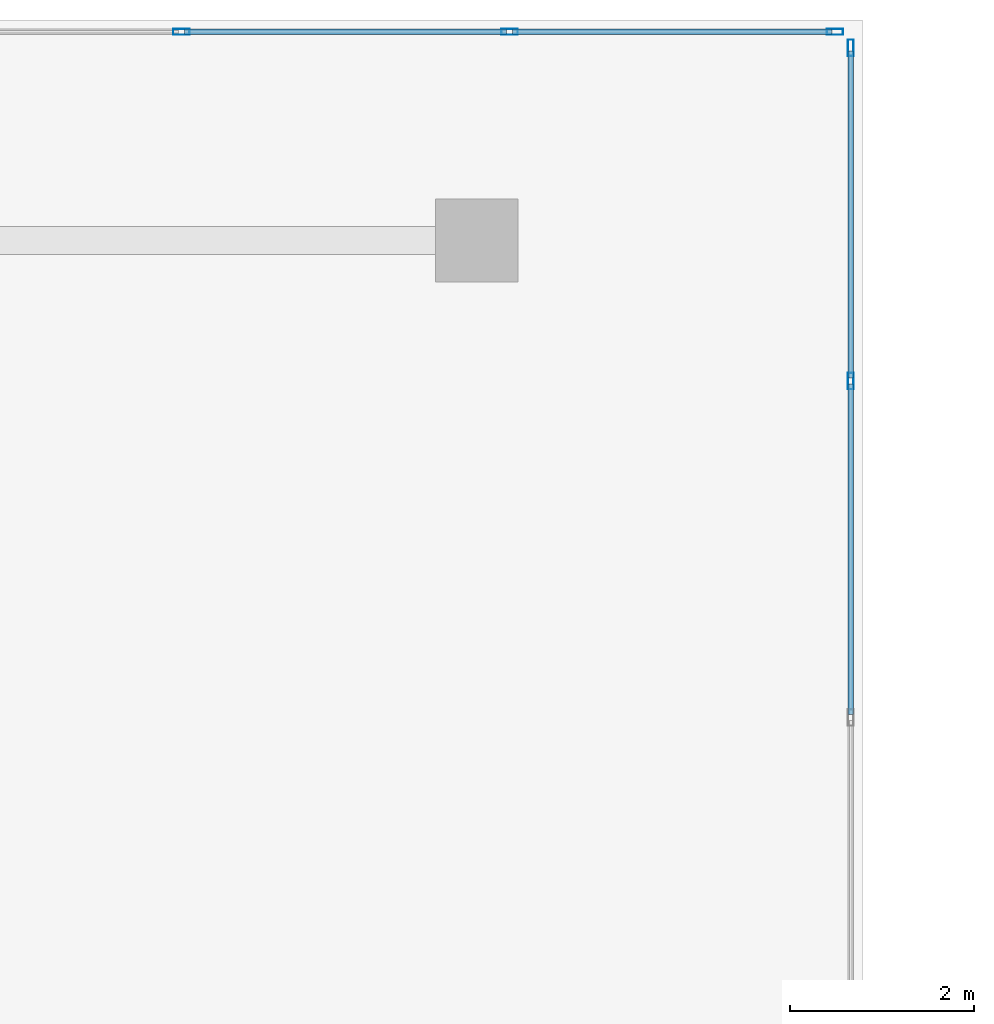
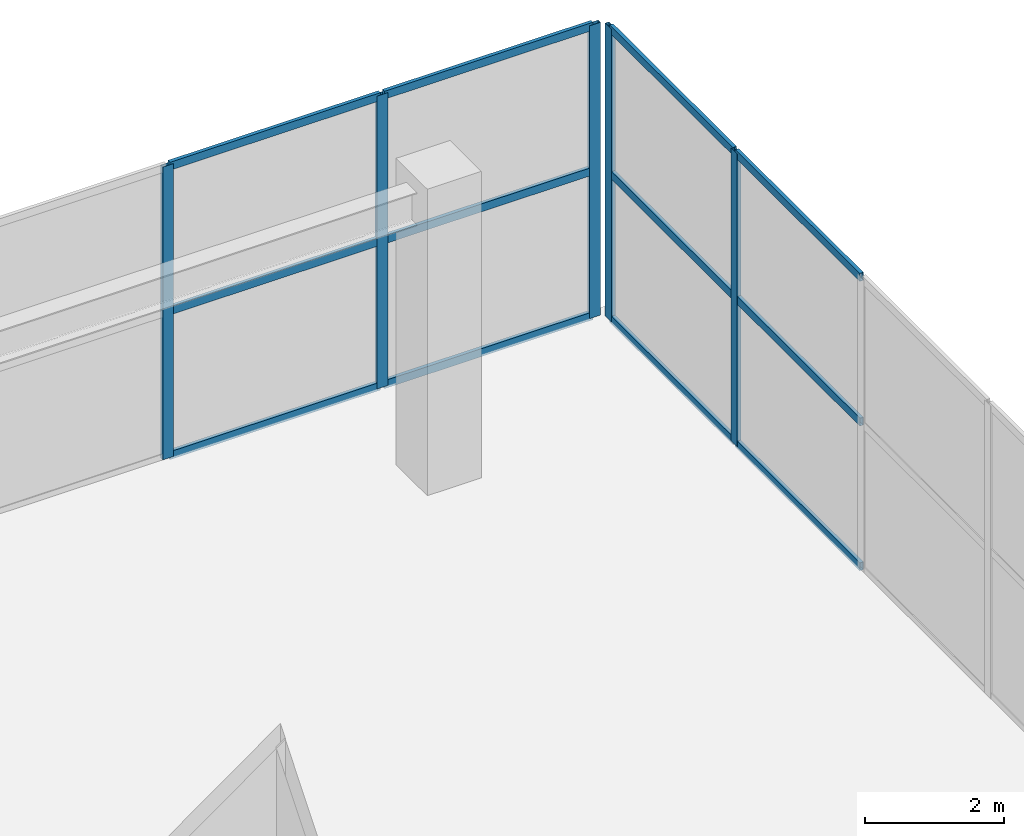
# One storey, part 25 of 37: 17 members, 2 elements without a shape of their own.
"""IFC4 building model written with IfcOpenShell, lengths in metres."""

from ifc_helpers import new_model, si_unit, direction, frame, origin, origin_2d, place, context, subcontext, project, spatial, hollow_rectangle, extrude, material, layer, layer_set, material_profile, profile_set, type_object, element, aggregate, save


model = new_model("IFC4")

# Units and contexts
model_context = context("Model", 3, precision=1e-05, world=origin(), true_north=direction((0.0, 1.0)))
body_context = subcontext(model_context, "Body", "Model", "MODEL_VIEW")
ifc_project = project(units=[si_unit("LENGTHUNIT", "METRE"), si_unit("AREAUNIT", "SQUARE_METRE"), si_unit("VOLUMEUNIT", "CUBIC_METRE"), si_unit("PLANEANGLEUNIT", "RADIAN"), si_unit("MASSUNIT", "GRAM", prefix="KILO")], contexts=[model_context])

# Site, building, storey
site_placement = place(None, origin())
site = spatial("IfcSite", under=ifc_project, at=site_placement, CompositionType="ELEMENT")
building_placement = place(site_placement, origin())
building = spatial("IfcBuilding", under=site, at=building_placement, Name="Haolan Belvedere Tower", CompositionType="ELEMENT")
storey_placement = place(building_placement, frame((0.0, 0.0, 10.199951171875)))
storey = spatial("IfcBuildingStorey", under=building, at=storey_placement, Name="L02", CompositionType="ELEMENT", Elevation=10.199951171875)

# Curtain wall, members
ifc_material_1 = material(Name="Anodised champagne-silver aluminium 6063-T6 and Low-E glass", Category="aluminium")
ifc_layer = layer(ifc_material_1, 0.179931640625, Name="Anodised champagne-silver aluminium 6063-T6 and Low-E glass")
ifc_layer_set = layer_set([ifc_layer], Name="Anodised champagne-silver aluminium 6063-T6 and Low-E glass")
curtain_wall_type = type_object("IfcCurtainWallType", Name="CW-SYS-01", PredefinedType="NOTDEFINED", material=ifc_layer_set)
curtain_wall_1_placement = place(storey_placement, origin())
curtain_wall_1 = element("IfcCurtainWall", 1, at=curtain_wall_1_placement, inside=storey, type_object=curtain_wall_type, Name="L02 CW-SYS-01 ribbon curtain wall 2.1", PredefinedType="NOTDEFINED")
ifc_material_2 = material(Name="Anodised aluminium 6063-T6", Category="aluminium")
ifc_material_profile_1 = material_profile(ifc_material_2, hollow_rectangle(XDim=0.06494140625, YDim=0.179931640625, WallThickness=0.00390625, at=origin_2d()), Name="Anodised aluminium 6063-T6")
ifc_profile_set_1 = profile_set([ifc_material_profile_1], Name="Anodised aluminium 6063-T6")
member_type_1 = type_object("IfcMemberType", Name="CW-SYS-01-MUL", PredefinedType="MULLION", material=ifc_profile_set_1)
member_1_placement = place(storey_placement, frame((74.27001953125, 50.068603515625, 0.0), z_axis=(0.0, 0.0, 1.0), x_axis=(-1.0, 0.0, 0.0)))
member_1 = element("IfcMember", 2, at=member_1_placement, type_object=member_type_1, Name="CW-01 mullion 12", PredefinedType="MULLION", context=body_context, shape_type="SweptSolid", body=[
    extrude(hollow_rectangle(XDim=0.06494140625, YDim=0.179931640625, WallThickness=0.00390625, at=origin_2d()), origin(), (0.0, 0.0, 1.0), 5.16015625),
])
member_2_placement = place(storey_placement, frame((74.27001953125, 53.697509765625, 0.0), z_axis=(0.0, 0.0, 1.0), x_axis=(-1.0, 0.0, 0.0)))
member_2 = element("IfcMember", 3, at=member_2_placement, type_object=member_type_1, Name="CW-01 mullion 13", PredefinedType="MULLION", context=body_context, shape_type="SweptSolid", body=[
    extrude(hollow_rectangle(XDim=0.06494140625, YDim=0.179931640625, WallThickness=0.00390625, at=origin_2d()), origin(), (0.0, 0.0, 1.0), 5.16015625),
])

curtain_wall_2_placement = place(storey_placement, origin())
curtain_wall_2 = element("IfcCurtainWall", 4, at=curtain_wall_2_placement, inside=storey, type_object=curtain_wall_type, Name="L02 CW-SYS-01 ribbon curtain wall 3.1", PredefinedType="NOTDEFINED")
member_3_placement = place(storey_placement, frame((74.097412109375, 53.8701171875, 0.0), z_axis=(0.0, 0.0, 1.0), x_axis=(0.0, -1.0, 0.0)))
member_3 = element("IfcMember", 5, at=member_3_placement, type_object=member_type_1, Name="CW-01 mullion 1", PredefinedType="MULLION", context=body_context, shape_type="SweptSolid", body=[
    extrude(hollow_rectangle(XDim=0.06494140625, YDim=0.179931640625, WallThickness=0.00390625, at=origin_2d()), origin(), (0.0, 0.0, 1.0), 5.16015625),
])
member_4_placement = place(storey_placement, frame((70.556884765625, 53.8701171875, 0.0), z_axis=(0.0, 0.0, 1.0), x_axis=(0.0, -1.0, 0.0)))
member_4 = element("IfcMember", 6, at=member_4_placement, type_object=member_type_1, Name="CW-01 mullion 2", PredefinedType="MULLION", context=body_context, shape_type="SweptSolid", body=[
    extrude(hollow_rectangle(XDim=0.06494140625, YDim=0.179931640625, WallThickness=0.00390625, at=origin_2d()), origin(), (0.0, 0.0, 1.0), 5.16015625),
])
member_5_placement = place(storey_placement, frame((66.98388671875, 53.8701171875, 0.0), z_axis=(0.0, 0.0, 1.0), x_axis=(0.0, -1.0, 0.0)))
member_5 = element("IfcMember", 7, at=member_5_placement, type_object=member_type_1, Name="CW-01 mullion 3", PredefinedType="MULLION", context=body_context, shape_type="SweptSolid", body=[
    extrude(hollow_rectangle(XDim=0.06494140625, YDim=0.179931640625, WallThickness=0.00390625, at=origin_2d()), origin(), (0.0, 0.0, 1.0), 5.16015625),
])

# Member
ifc_material_profile_2 = material_profile(ifc_material_2, hollow_rectangle(XDim=0.06005859375, YDim=0.139892578125, WallThickness=0.00390625, at=origin_2d()), Name="Anodised aluminium 6063-T6")
ifc_profile_set_2 = profile_set([ifc_material_profile_2], Name="Anodised aluminium 6063-T6")
member_type_2 = type_object("IfcMemberType", Name="CW-SYS-01-TRN", PredefinedType="USERDEFINED", material=ifc_profile_set_2)
member_6_placement = place(storey_placement, frame((74.27001953125, 46.439697265625, 0.030029296875), z_axis=(0.0, 1.0, 0.0), x_axis=(-1.0, 0.0, 0.0)))
member_6 = element("IfcMember", 8, at=member_6_placement, type_object=member_type_2, Name="CW-01 transom 11.1", ObjectType="TRANSOM", PredefinedType="USERDEFINED", context=body_context, shape_type="SweptSolid", body=[
    extrude(hollow_rectangle(XDim=0.06005859375, YDim=0.139892578125, WallThickness=0.00390625, at=origin_2d()), origin(), (0.0, 0.0, 1.0), 3.596435546875),
])

member_7_placement = place(storey_placement, frame((74.27001953125, 46.439697265625, 2.580078125), z_axis=(0.0, 1.0, 0.0), x_axis=(-1.0, 0.0, 0.0)))
member_7 = element("IfcMember", 9, at=member_7_placement, type_object=member_type_2, Name="CW-01 transom 11.2", ObjectType="TRANSOM", PredefinedType="USERDEFINED", context=body_context, shape_type="SweptSolid", body=[
    extrude(hollow_rectangle(XDim=0.06005859375, YDim=0.139892578125, WallThickness=0.00390625, at=origin_2d()), origin(), (0.0, 0.0, 1.0), 3.596435546875),
])

member_8_placement = place(storey_placement, frame((74.27001953125, 46.439697265625, 5.130126953125), z_axis=(0.0, 1.0, 0.0), x_axis=(-1.0, 0.0, 0.0)))
member_8 = element("IfcMember", 10, at=member_8_placement, type_object=member_type_2, Name="CW-01 transom 11.3", ObjectType="TRANSOM", PredefinedType="USERDEFINED", context=body_context, shape_type="SweptSolid", body=[
    extrude(hollow_rectangle(XDim=0.06005859375, YDim=0.139892578125, WallThickness=0.00390625, at=origin_2d()), origin(), (0.0, 0.0, 1.0), 3.596435546875),
])

member_9_placement = place(storey_placement, frame((74.27001953125, 50.10107421875, 0.030029296875), z_axis=(0.0, 1.0, 0.0), x_axis=(-1.0, 0.0, 0.0)))
member_9 = element("IfcMember", 11, at=member_9_placement, type_object=member_type_2, Name="CW-01 transom 12.1", ObjectType="TRANSOM", PredefinedType="USERDEFINED", context=body_context, shape_type="SweptSolid", body=[
    extrude(hollow_rectangle(XDim=0.06005859375, YDim=0.139892578125, WallThickness=0.00390625, at=origin_2d()), origin(), (0.0, 0.0, 1.0), 3.56396484375),
])

member_10_placement = place(storey_placement, frame((74.27001953125, 50.10107421875, 2.580078125), z_axis=(0.0, 1.0, 0.0), x_axis=(-1.0, 0.0, 0.0)))
member_10 = element("IfcMember", 12, at=member_10_placement, type_object=member_type_2, Name="CW-01 transom 12.2", ObjectType="TRANSOM", PredefinedType="USERDEFINED", context=body_context, shape_type="SweptSolid", body=[
    extrude(hollow_rectangle(XDim=0.06005859375, YDim=0.139892578125, WallThickness=0.00390625, at=origin_2d()), origin(), (0.0, 0.0, 1.0), 3.56396484375),
])

member_11_placement = place(storey_placement, frame((74.27001953125, 50.10107421875, 5.130126953125), z_axis=(0.0, 1.0, 0.0), x_axis=(-1.0, 0.0, 0.0)))
member_11 = element("IfcMember", 13, at=member_11_placement, type_object=member_type_2, Name="CW-01 transom 12.3", ObjectType="TRANSOM", PredefinedType="USERDEFINED", context=body_context, shape_type="SweptSolid", body=[
    extrude(hollow_rectangle(XDim=0.06005859375, YDim=0.139892578125, WallThickness=0.00390625, at=origin_2d()), origin(), (0.0, 0.0, 1.0), 3.56396484375),
])

aggregate(curtain_wall_1, [member_1, member_2, member_6, member_7, member_8, member_9, member_10, member_11])

member_12_placement = place(storey_placement, frame((74.06494140625, 53.8701171875, 0.030029296875), z_axis=(-1.0, 0.0, 0.0), x_axis=(0.0, -1.0, 0.0)))
member_12 = element("IfcMember", 14, at=member_12_placement, type_object=member_type_2, Name="CW-01 transom 1.1", ObjectType="TRANSOM", PredefinedType="USERDEFINED", context=body_context, shape_type="SweptSolid", body=[
    extrude(hollow_rectangle(XDim=0.06005859375, YDim=0.139892578125, WallThickness=0.00390625, at=origin_2d()), origin(), (0.0, 0.0, 1.0), 3.475341796875),
])

member_13_placement = place(storey_placement, frame((74.06494140625, 53.8701171875, 2.580078125), z_axis=(-1.0, 0.0, 0.0), x_axis=(0.0, -1.0, 0.0)))
member_13 = element("IfcMember", 15, at=member_13_placement, type_object=member_type_2, Name="CW-01 transom 1.2", ObjectType="TRANSOM", PredefinedType="USERDEFINED", context=body_context, shape_type="SweptSolid", body=[
    extrude(hollow_rectangle(XDim=0.06005859375, YDim=0.139892578125, WallThickness=0.00390625, at=origin_2d()), origin(), (0.0, 0.0, 1.0), 3.475341796875),
])

member_14_placement = place(storey_placement, frame((74.06494140625, 53.8701171875, 5.130126953125), z_axis=(-1.0, 0.0, 0.0), x_axis=(0.0, -1.0, 0.0)))
member_14 = element("IfcMember", 16, at=member_14_placement, type_object=member_type_2, Name="CW-01 transom 1.3", ObjectType="TRANSOM", PredefinedType="USERDEFINED", context=body_context, shape_type="SweptSolid", body=[
    extrude(hollow_rectangle(XDim=0.06005859375, YDim=0.139892578125, WallThickness=0.00390625, at=origin_2d()), origin(), (0.0, 0.0, 1.0), 3.475341796875),
])

member_15_placement = place(storey_placement, frame((70.5244140625, 53.8701171875, 0.030029296875), z_axis=(-1.0, 0.0, 0.0), x_axis=(0.0, -1.0, 0.0)))
member_15 = element("IfcMember", 17, at=member_15_placement, type_object=member_type_2, Name="CW-01 transom 2.1", ObjectType="TRANSOM", PredefinedType="USERDEFINED", context=body_context, shape_type="SweptSolid", body=[
    extrude(hollow_rectangle(XDim=0.06005859375, YDim=0.139892578125, WallThickness=0.00390625, at=origin_2d()), origin(), (0.0, 0.0, 1.0), 3.5078125),
])

member_16_placement = place(storey_placement, frame((70.5244140625, 53.8701171875, 2.580078125), z_axis=(-1.0, 0.0, 0.0), x_axis=(0.0, -1.0, 0.0)))
member_16 = element("IfcMember", 18, at=member_16_placement, type_object=member_type_2, Name="CW-01 transom 2.2", ObjectType="TRANSOM", PredefinedType="USERDEFINED", context=body_context, shape_type="SweptSolid", body=[
    extrude(hollow_rectangle(XDim=0.06005859375, YDim=0.139892578125, WallThickness=0.00390625, at=origin_2d()), origin(), (0.0, 0.0, 1.0), 3.5078125),
])

member_17_placement = place(storey_placement, frame((70.5244140625, 53.8701171875, 5.130126953125), z_axis=(-1.0, 0.0, 0.0), x_axis=(0.0, -1.0, 0.0)))
member_17 = element("IfcMember", 19, at=member_17_placement, type_object=member_type_2, Name="CW-01 transom 2.3", ObjectType="TRANSOM", PredefinedType="USERDEFINED", context=body_context, shape_type="SweptSolid", body=[
    extrude(hollow_rectangle(XDim=0.06005859375, YDim=0.139892578125, WallThickness=0.00390625, at=origin_2d()), origin(), (0.0, 0.0, 1.0), 3.5078125),
])

aggregate(curtain_wall_2, [member_3, member_4, member_5, member_12, member_13, member_14, member_15, member_16, member_17])

save(model, "model.ifc")
